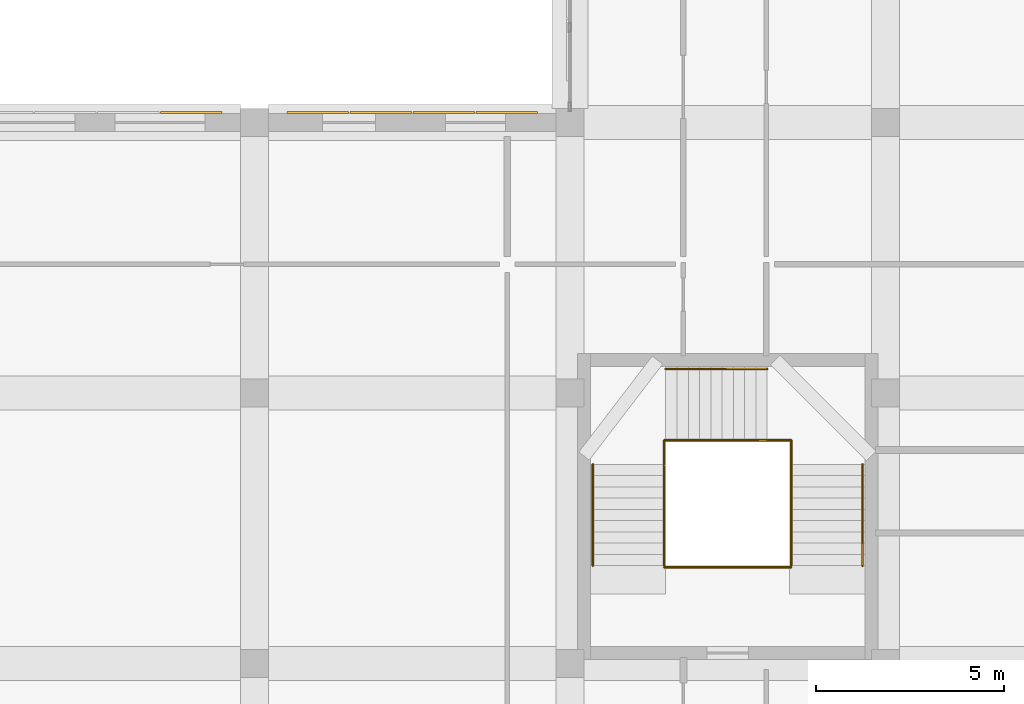
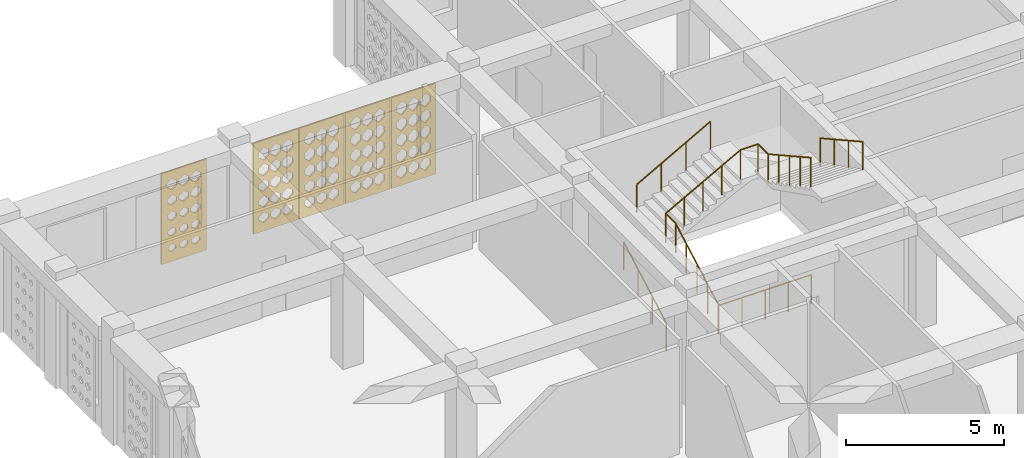
# One storey, part 95 of 111: 7 railings, 5 coverings.
"""IFC4 building model written with IfcOpenShell, lengths in metres."""

import ifcopenshell
import ifcopenshell.guid

model = None  # the IFC model being written
_history = None  # IfcOwnerHistory: only IFC2X3 demands one
_inside = {}  # id of a spatial element -> (the spatial element, [elements in it])
_under = {}  # id of a project, library or spatial element -> (it, [spatial elements below it])
_declared = {}  # id of a project -> (the project, [libraries it declares])
_typed = {}  # id of a type object -> (the type object, [elements of that type])
_made_of = {}  # id of a material, layer set ... -> (it, [elements and type objects made of it])


def new_model(schema):
    """Start an empty IFC model of exactly this schema.

    Asked for "IFC4X3", IfcOpenShell would pick the latest addendum, in which some entities
    have other attributes; the version numbers below select the first issue.
    IFC2X3 requires an IfcOwnerHistory on every rooted entity: one is made here for all.
    """
    global model, _history
    if schema == "IFC4X3":
        model = ifcopenshell.file(schema_version=(4, 3, 0, 0))
    else:
        model = ifcopenshell.file(schema=schema)
    _inside.clear()
    _under.clear()
    _declared.clear()
    _typed.clear()
    _made_of.clear()
    _history = None
    if model.schema == "IFC2X3":
        org = make("IfcOrganization", Name="unknown")
        user = make(
            "IfcPersonAndOrganization",
            ThePerson=make("IfcPerson", FamilyName="unknown"),
            TheOrganization=org,
        )
        app = make(
            "IfcApplication",
            ApplicationDeveloper=org,
            Version="unknown",
            ApplicationFullName="unknown",
            ApplicationIdentifier="unknown",
        )
        _history = make(
            "IfcOwnerHistory",
            OwningUser=user,
            OwningApplication=app,
            ChangeAction="ADDED",
            CreationDate=0,
        )
    return model


def make(cls, **values):
    """One entity of the class cls with the attributes given. An attribute that is None is left unset."""
    return model.create_entity(
        cls, **{name: value for name, value in values.items() if value is not None}
    )


def rooted(cls, **values):
    """An entity with a GlobalId (a new one), such as an element, a storey or a relation."""
    return make(cls, GlobalId=ifcopenshell.guid.new(), OwnerHistory=_history, **values)


def si_unit(unit_type, name, prefix=None):
    """IfcSIUnit, for example si_unit("LENGTHUNIT", "METRE", prefix="MILLI")."""
    return make("IfcSIUnit", UnitType=unit_type, Prefix=prefix, Name=name)


def derived_unit(unit_type, elements):
    """IfcDerivedUnit: a product of units, each with its exponent."""
    return make(
        "IfcDerivedUnit",
        Elements=[
            make("IfcDerivedUnitElement", Unit=unit, Exponent=power)
            for unit, power in elements
        ],
        UnitType=unit_type,
    )


def assignment(units):
    """IfcUnitAssignment: the units of a project."""
    return None if units is None else make("IfcUnitAssignment", Units=units)


def point(xyz):
    """IfcCartesianPoint."""
    return None if xyz is None else make("IfcCartesianPoint", Coordinates=xyz)


def direction(xyz):
    """IfcDirection."""
    return None if xyz is None else make("IfcDirection", DirectionRatios=xyz)


def frame(location, z_axis=None, x_axis=None):
    """IfcAxis2Placement3D, a coordinate frame: its origin and axes. An axis left out is left unset."""
    return make(
        "IfcAxis2Placement3D",
        Location=point(location),
        Axis=direction(z_axis),
        RefDirection=direction(x_axis),
    )


def frame_2d(location, x_axis=None):
    """IfcAxis2Placement2D, a coordinate frame in the plane: its origin and x axis."""
    return make(
        "IfcAxis2Placement2D", Location=point(location), RefDirection=direction(x_axis)
    )


def origin():
    """The frame at (0, 0, 0) with its axes left unset."""
    return frame((0.0, 0.0, 0.0))


def origin_2d():
    """The frame at (0, 0) in the plane with its x axis left unset."""
    return frame_2d((0.0, 0.0))


def place(relative_to, where):
    """IfcLocalPlacement: puts the frame where relative to a parent placement (None: the world)."""
    return make(
        "IfcLocalPlacement", PlacementRelTo=relative_to, RelativePlacement=where
    )


def context(
    kind, dimensions, precision=None, world=None, true_north=None, identifier=None
):
    """IfcGeometricRepresentationContext, for example the 3D "Model" context."""
    return make(
        "IfcGeometricRepresentationContext",
        ContextIdentifier=identifier,
        ContextType=kind,
        CoordinateSpaceDimension=dimensions,
        Precision=precision,
        WorldCoordinateSystem=world,
        TrueNorth=true_north,
    )


def subcontext(parent, identifier, kind, view, scale=None):
    """IfcGeometricRepresentationSubContext, for example "Body" below "Model"."""
    return make(
        "IfcGeometricRepresentationSubContext",
        ContextIdentifier=identifier,
        ContextType=kind,
        ParentContext=parent,
        TargetScale=scale,
        TargetView=view,
    )


def project(units=None, contexts=None):
    """IfcProject with its units and contexts."""
    return rooted(
        "IfcProject",
        Name="project",
        RepresentationContexts=contexts,
        UnitsInContext=assignment(units),
    )


def spatial(cls, under=None, at=None, **own):
    """A site, building, storey or space (cls), placed at a placement, below another one or the project."""
    s = rooted(cls, ObjectPlacement=at, **own)
    if under is not None:
        _under.setdefault(under.id(), (under, []))[1].append(s)
    return s


def polyline(points):
    """IfcPolyline through the points."""
    return make("IfcPolyline", Points=[point(p) for p in points])


def profile(cls, at=None, kind="AREA", **sizes):
    """A parametric profile (cls). Its sizes go by their IFC names, for example OverallWidth=200.0."""
    return make(cls, ProfileType=kind, Position=at, **sizes)


def circle(**sizes):
    """IfcCircleProfileDef."""
    return profile("IfcCircleProfileDef", **sizes)


def outline(outer, holes=None, kind="AREA"):
    """IfcArbitraryClosedProfileDef: a profile drawn as a closed curve; with holes, ...WithVoids."""
    if holes is None:
        return make("IfcArbitraryClosedProfileDef", ProfileType=kind, OuterCurve=outer)
    return make(
        "IfcArbitraryProfileDefWithVoids",
        ProfileType=kind,
        OuterCurve=outer,
        InnerCurves=holes,
    )


def extrude(swept, where, along, depth):
    """IfcExtrudedAreaSolid: the profile swept, set in the frame where, extruded along a direction by depth."""
    return make(
        "IfcExtrudedAreaSolid",
        SweptArea=swept,
        Position=where,
        ExtrudedDirection=direction(along),
        Depth=depth,
    )


def shape(context_of_items, identifier, shape_type, items):
    """IfcShapeRepresentation: the items that make up one representation, for example the "Body"."""
    return make(
        "IfcShapeRepresentation",
        ContextOfItems=context_of_items,
        RepresentationIdentifier=identifier,
        RepresentationType=shape_type,
        Items=items,
    )


def material(Name=None, Category=None):
    """IfcMaterial."""
    return make("IfcMaterial", Name=Name, Category=Category)


def layer(
    of_material, thickness, ventilated=None, Name=None, Category=None, Priority=None
):
    """IfcMaterialLayer: one layer of a wall or slab, of a material (None: an air gap)."""
    return make(
        "IfcMaterialLayer",
        Material=of_material,
        LayerThickness=thickness,
        IsVentilated=ventilated,
        Name=Name,
        Category=Category,
        Priority=Priority,
    )


def layer_set(layers, Name=None):
    """IfcMaterialLayerSet."""
    return make("IfcMaterialLayerSet", MaterialLayers=layers, LayerSetName=Name)


def made_of(thing, what):
    """Note that an element or type object is made of a material, layer set ...; save() writes the relation."""
    if what is not None:
        _made_of.setdefault(what.id(), (what, []))[1].append(thing)
    return thing


def type_object(cls, material=None, **own):
    """A type object (cls), such as IfcWallType, which elements share."""
    return made_of(rooted(cls, **own), material)


def element(
    cls,
    number,
    at=None,
    inside=None,
    cuts=None,
    type_object=None,
    material=None,
    context=None,
    identifier="Body",
    shape_type=None,
    held_by="IfcProductDefinitionShape",
    body=None,
    shapes=None,
    **own,
):
    """One element of the class cls, such as IfcWall. Its Tag is "e" and its number.

    at: its placement. inside: the storey or other place that contains it. cuts: it is an
    opening in that element (IfcRelVoidsElement). A single representation is given by context,
    identifier, shape_type and body (its items); several are given by shapes. held_by: the class
    of the entity that holds the representations. save() writes the other relations.
    """
    e = rooted(cls, Tag="e%d" % number, ObjectPlacement=at, **own)
    if body is not None:
        shapes = [shape(context, identifier, shape_type, body)]
    if shapes is not None:
        e.Representation = make(held_by, Representations=shapes)
    if inside is not None:
        _inside.setdefault(inside.id(), (inside, []))[1].append(e)
    if cuts is not None:
        rooted(
            "IfcRelVoidsElement", RelatingBuildingElement=cuts, RelatedOpeningElement=e
        )
    if type_object is not None:
        _typed.setdefault(type_object.id(), (type_object, []))[1].append(e)
    return made_of(e, material)


def aggregate(whole, parts):
    """IfcRelAggregates: a whole, such as a stair, and the parts it consists of."""
    return rooted("IfcRelAggregates", RelatingObject=whole, RelatedObjects=parts)


def save(model, path):
    """Write the relations noted so far, then the file.

    IfcRelAggregates (storeys below a building ...), IfcRelContainedInSpatialStructure (elements
    in a storey), IfcRelDefinesByType, IfcRelAssociatesMaterial and IfcRelDeclares: one each for
    every whole, place, type object, material and project.
    """
    for whole, parts in _under.values():
        aggregate(whole, parts)
    for where, things in _inside.values():
        rooted(
            "IfcRelContainedInSpatialStructure",
            RelatedElements=things,
            RelatingStructure=where,
        )
    for kind, things in _typed.values():
        rooted("IfcRelDefinesByType", RelatedObjects=things, RelatingType=kind)
    for what, things in _made_of.values():
        rooted("IfcRelAssociatesMaterial", RelatedObjects=things, RelatingMaterial=what)
    for by, libraries in _declared.values():
        rooted("IfcRelDeclares", RelatingContext=by, RelatedDefinitions=libraries)
    model.write(path)


model = new_model("IFC4")

# Units and contexts
model_context = context("Model", 3, precision=1e-05, world=origin(), true_north=direction((0.0, 1.0)))
body_context = subcontext(model_context, "Body", "Model", "MODEL_VIEW")
ifc_project = project(units=[si_unit("LENGTHUNIT", "METRE"), si_unit("AREAUNIT", "SQUARE_METRE"), si_unit("VOLUMEUNIT", "CUBIC_METRE"), si_unit("PLANEANGLEUNIT", "RADIAN"), si_unit("MASSUNIT", "GRAM", prefix="KILO"), derived_unit("THERMALTRANSMITTANCEUNIT", [(si_unit("POWERUNIT", "WATT"), 1), (si_unit("LENGTHUNIT", "METRE"), -2), (si_unit("THERMODYNAMICTEMPERATUREUNIT", "KELVIN"), -1)])], contexts=[model_context])

# Site, building, storey
site_placement = place(None, origin())
site = spatial("IfcSite", under=ifc_project, at=site_placement, CompositionType="ELEMENT")
building_placement = place(site_placement, origin())
building = spatial("IfcBuilding", under=site, at=building_placement, Name="Veybourne Emporium", CompositionType="ELEMENT")
storey_placement = place(building_placement, frame((0.0, 0.0, 9.89990234375)))
storey = spatial("IfcBuildingStorey", under=building, at=storey_placement, Name="L02", CompositionType="ELEMENT", Elevation=9.89990234375)

# Railings
ifc_material_1 = material(Name="Brushed Stainless Steel", Category="steel")
railing_type_1 = type_object("IfcRailingType", Name="Guard_GR-01", PredefinedType="GUARDRAIL", material=ifc_material_1)
railing_1_placement = place(storey_placement, frame((19.31005859375, 67.39990234375, 0.0)))
element("IfcRailing", 1, at=railing_1_placement, inside=storey, type_object=railing_type_1, Name="L02 ST-08 stair guard 1", PredefinedType="GUARDRAIL", context=body_context, shape_type="SweptSolid", body=[
    extrude(circle(Radius=0.02392578125, at=origin_2d()), frame((0.0, 0.0, 1.1259765625), z_axis=(0.0, 0.874172188743, 0.48561608749), x_axis=(-1.0, 0.0, 0.0)), (0.0, 0.0, 1.0), 3.0888671875),
    extrude(circle(Radius=0.02392578125, at=origin_2d()), frame((0.0, 2.7001953125, 2.6259765625), z_axis=(0.0, 1.0, 0.0), x_axis=(-1.0, 0.0, 0.0)), (0.0, 0.0, 1.0), 0.639892578125),
    extrude(circle(Radius=0.02099609375, at=origin_2d()), origin(), (0.0, 0.0, 1.0), 1.101806640625),
    extrude(circle(Radius=0.02099609375, at=origin_2d()), frame((0.0, 0.675048828125, 0.375)), (0.0, 0.0, 1.0), 1.101806640625),
    extrude(circle(Radius=0.02099609375, at=origin_2d()), frame((0.0, 1.35009765625, 0.75)), (0.0, 0.0, 1.0), 1.101806640625),
    extrude(circle(Radius=0.02099609375, at=origin_2d()), frame((0.0, 2.025146484375, 1.125)), (0.0, 0.0, 1.0), 1.101806640625),
    extrude(circle(Radius=0.02099609375, at=origin_2d()), frame((0.0, 2.7001953125, 1.5)), (0.0, 0.0, 1.0), 1.101806640625),
    extrude(circle(Radius=0.02099609375, at=origin_2d()), frame((0.0, 3.340087890625, 1.5)), (0.0, 0.0, 1.0), 1.101806640625),
])
railing_2_placement = place(storey_placement, frame((19.31005859375, 70.739990234375, 1.5)))
element("IfcRailing", 2, at=railing_2_placement, inside=storey, type_object=railing_type_1, Name="L02 ST-08 stair guard 2", PredefinedType="GUARDRAIL", context=body_context, shape_type="SweptSolid", body=[
    extrude(circle(Radius=0.02392578125, at=origin_2d()), frame((0.0, 0.0, 1.1259765625), z_axis=(0.87715976088, 0.0, 0.480198660861), x_axis=(0.0, 1.0, 0.0)), (0.0, 0.0, 1.0), 3.123779296875),
    extrude(circle(Radius=0.02392578125, at=origin_2d()), frame((2.739990234375, 0.0, 2.6259765625), z_axis=(1.0, 0.0, 0.0), x_axis=(0.0, 1.0, 0.0)), (0.0, 0.0, 1.0), 0.639892578125),
    extrude(circle(Radius=0.02099609375, at=origin_2d()), origin(), (0.0, 0.0, 1.0), 1.101806640625),
    extrude(circle(Radius=0.02099609375, at=origin_2d()), frame((0.68505859375, 0.0, 0.375)), (0.0, 0.0, 1.0), 1.101806640625),
    extrude(circle(Radius=0.02099609375, at=origin_2d()), frame((1.3701171875, 0.0, 0.75)), (0.0, 0.0, 1.0), 1.101806640625),
    extrude(circle(Radius=0.02099609375, at=origin_2d()), frame((2.054931640625, 0.0, 1.125)), (0.0, 0.0, 1.0), 1.101806640625),
    extrude(circle(Radius=0.02099609375, at=origin_2d()), frame((2.739990234375, 0.0, 1.5)), (0.0, 0.0, 1.0), 1.101806640625),
    extrude(circle(Radius=0.02099609375, at=origin_2d()), frame((3.3798828125, 0.0, 1.5)), (0.0, 0.0, 1.0), 1.101806640625),
])
railing_3_placement = place(storey_placement, frame((22.68994140625, 70.739990234375, 3.0)))
element("IfcRailing", 3, at=railing_3_placement, inside=storey, type_object=railing_type_1, Name="L02 ST-08 stair guard 3", PredefinedType="GUARDRAIL", context=body_context, shape_type="SweptSolid", body=[
    extrude(circle(Radius=0.02392578125, at=origin_2d()), frame((0.0, 0.0, 1.1259765625), z_axis=(0.0, -1.0, 0.0), x_axis=(1.0, 0.0, 0.0)), (0.0, 0.0, 1.0), 0.639892578125),
    extrude(circle(Radius=0.02392578125, at=origin_2d()), frame((0.0, -0.639892578125, 1.1259765625), z_axis=(0.0, -0.874172188743, 0.48561608749), x_axis=(1.0, 0.0, 0.0)), (0.0, 0.0, 1.0), 3.0888671875),
    extrude(circle(Radius=0.02099609375, at=origin_2d()), origin(), (0.0, 0.0, 1.0), 1.101806640625),
    extrude(circle(Radius=0.02099609375, at=origin_2d()), frame((0.0, -0.639892578125, 0.0)), (0.0, 0.0, 1.0), 1.101806640625),
    extrude(circle(Radius=0.02099609375, at=origin_2d()), frame((0.0, -1.31494140625, 0.375)), (0.0, 0.0, 1.0), 1.101806640625),
    extrude(circle(Radius=0.02099609375, at=origin_2d()), frame((0.0, -1.989990234375, 0.75)), (0.0, 0.0, 1.0), 1.101806640625),
    extrude(circle(Radius=0.02099609375, at=origin_2d()), frame((0.0, -2.6650390625, 1.125)), (0.0, 0.0, 1.0), 1.101806640625),
    extrude(circle(Radius=0.02099609375, at=origin_2d()), frame((0.0, -3.340087890625, 1.5)), (0.0, 0.0, 1.0), 1.101806640625),
])
railing_4_placement = place(storey_placement, frame((19.31005859375, 67.360107421875, 0.0)))
element("IfcRailing", 4, at=railing_4_placement, inside=storey, type_object=railing_type_1, Name="L02 ST-08 stair guard 4", PredefinedType="GUARDRAIL", context=body_context, shape_type="SweptSolid", body=[
    extrude(circle(Radius=0.02392578125, at=origin_2d()), frame((0.0, 0.0, 1.1259765625), z_axis=(1.0, 0.0, 0.0), x_axis=(0.0, 1.0, 0.0)), (0.0, 0.0, 1.0), 3.3798828125),
    extrude(circle(Radius=0.02099609375, at=origin_2d()), origin(), (0.0, 0.0, 1.0), 1.101806640625),
    extrude(circle(Radius=0.02099609375, at=origin_2d()), frame((0.844970703125, 0.0, 0.0)), (0.0, 0.0, 1.0), 1.101806640625),
    extrude(circle(Radius=0.02099609375, at=origin_2d()), frame((1.68994140625, 0.0, 0.0)), (0.0, 0.0, 1.0), 1.101806640625),
    extrude(circle(Radius=0.02099609375, at=origin_2d()), frame((2.534912109375, 0.0, 0.0)), (0.0, 0.0, 1.0), 1.101806640625),
    extrude(circle(Radius=0.02099609375, at=origin_2d()), frame((3.3798828125, 0.0, 0.0)), (0.0, 0.0, 1.0), 1.101806640625),
])
railing_type_2 = type_object("IfcRailingType", Name="Handrail_HR-01", PredefinedType="HANDRAIL", material=ifc_material_1)
railing_5_placement = place(storey_placement, frame((17.409912109375, 67.39990234375, 0.150146484375)))
element("IfcRailing", 5, at=railing_5_placement, inside=storey, type_object=railing_type_2, Name="L02 ST-08 pitch handrail 1", PredefinedType="HANDRAIL", context=body_context, shape_type="SweptSolid", body=[
    extrude(circle(Radius=0.02392578125, at=origin_2d()), frame((0.0, 0.0, 0.92578125), z_axis=(0.0, 0.874172188743, 0.48561608749), x_axis=(-1.0, 0.0, 0.0)), (0.0, 0.0, 1.0), 3.0888671875),
    extrude(circle(Radius=0.02099609375, at=origin_2d()), frame((0.0, 0.0, -0.14990234375)), (0.0, 0.0, 1.0), 1.0517578125),
    extrude(circle(Radius=0.02099609375, at=origin_2d()), frame((0.0, 0.900146484375, 0.35009765625)), (0.0, 0.0, 1.0), 1.0517578125),
    extrude(circle(Radius=0.02099609375, at=origin_2d()), frame((0.0, 1.800048828125, 0.85009765625)), (0.0, 0.0, 1.0), 1.0517578125),
    extrude(circle(Radius=0.02099609375, at=origin_2d()), frame((0.0, 2.7001953125, 1.35009765625)), (0.0, 0.0, 1.0), 1.0517578125),
])
railing_6_placement = place(storey_placement, frame((19.35009765625, 72.639892578125, 1.650146484375)))
element("IfcRailing", 6, at=railing_6_placement, inside=storey, type_object=railing_type_2, Name="L02 ST-08 pitch handrail 2", PredefinedType="HANDRAIL", context=body_context, shape_type="SweptSolid", body=[
    extrude(circle(Radius=0.02392578125, at=origin_2d()), frame((0.0, 0.0, 0.92578125), z_axis=(0.87415354758, 0.0, 0.485649642493), x_axis=(0.0, 1.0, 0.0)), (0.0, 0.0, 1.0), 3.088623046875),
    extrude(circle(Radius=0.02099609375, at=origin_2d()), frame((0.0, 0.0, -0.14990234375)), (0.0, 0.0, 1.0), 1.0517578125),
    extrude(circle(Radius=0.02099609375, at=origin_2d()), frame((0.89990234375, 0.0, 0.35009765625)), (0.0, 0.0, 1.0), 1.0517578125),
    extrude(circle(Radius=0.02099609375, at=origin_2d()), frame((1.800048828125, 0.0, 0.85009765625)), (0.0, 0.0, 1.0), 1.0517578125),
    extrude(circle(Radius=0.02099609375, at=origin_2d()), frame((2.699951171875, 0.0, 1.35009765625)), (0.0, 0.0, 1.0), 1.0517578125),
])
railing_7_placement = place(storey_placement, frame((24.590087890625, 70.10009765625, 3.150146484375)))
element("IfcRailing", 7, at=railing_7_placement, inside=storey, type_object=railing_type_2, Name="L02 ST-08 pitch handrail 3", PredefinedType="HANDRAIL", context=body_context, shape_type="SweptSolid", body=[
    extrude(circle(Radius=0.02392578125, at=origin_2d()), frame((0.0, 0.0, 0.92578125), z_axis=(0.0, -0.874172188743, 0.48561608749), x_axis=(1.0, 0.0, 0.0)), (0.0, 0.0, 1.0), 3.0888671875),
    extrude(circle(Radius=0.02099609375, at=origin_2d()), frame((0.0, 0.0, -0.14990234375)), (0.0, 0.0, 1.0), 1.0517578125),
    extrude(circle(Radius=0.02099609375, at=origin_2d()), frame((0.0, -0.900146484375, 0.35009765625)), (0.0, 0.0, 1.0), 1.0517578125),
    extrude(circle(Radius=0.02099609375, at=origin_2d()), frame((0.0, -1.800048828125, 0.85009765625)), (0.0, 0.0, 1.0), 1.0517578125),
    extrude(circle(Radius=0.02099609375, at=origin_2d()), frame((0.0, -2.7001953125, 1.35009765625)), (0.0, 0.0, 1.0), 1.0517578125),
])

# Coverings
ifc_material_2 = material(Name="Warm-White Perforated Aluminium Screen Alloy", Category="aluminium")
ifc_layer_1 = layer(ifc_material_2, 0.06005859375)
ifc_layer_set_1 = layer_set([ifc_layer_1], Name="Warm-White Perforated Aluminium Screen Alloy")
covering_type_1 = type_object("IfcCoveringType", Name="WaveScreen_SCR-01", PredefinedType="CLADDING", material=ifc_layer_set_1)
covering_1_placement = place(storey_placement, frame((6.719970703125, 79.498046875, 1.815185546875), z_axis=(0.0, -1.0, 0.0), x_axis=(1.0, 0.0, 0.0)))
element("IfcCovering", 8, at=covering_1_placement, inside=storey, type_object=covering_type_1, Name="L02 wave-perforated aluminium screen SCR-01 (10.4)", PredefinedType="CLADDING", context=body_context, shape_type="SweptSolid", body=[
    extrude(outline(polyline([(-0.81982421875, -1.7548828125), (0.81982421875, -1.7548828125), (0.81982421875, 1.7548828125), (-0.81982421875, 1.7548828125), (-0.81982421875, -1.7548828125)]), holes=[polyline([(-0.433349609375, -1.073486328125), (-0.296875, -1.17236328125), (-0.296875, -1.28369140625), (-0.433349609375, -1.382568359375), (-0.56982421875, -1.28369140625), (-0.56982421875, -1.17236328125), (-0.433349609375, -1.073486328125)]), polyline([(-0.433349609375, -0.4462890625), (-0.2861328125, -0.5537109375), (-0.2861328125, -0.67431640625), (-0.433349609375, -0.78173828125), (-0.58056640625, -0.67431640625), (-0.58056640625, -0.5537109375), (-0.433349609375, -0.4462890625)]), polyline([(-0.433349609375, 0.181396484375), (-0.27490234375, 0.065185546875), (-0.27490234375, -0.065185546875), (-0.433349609375, -0.181396484375), (-0.591796875, -0.065185546875), (-0.591796875, 0.065185546875), (-0.433349609375, 0.181396484375)]), polyline([(-0.433349609375, 0.809814453125), (-0.26318359375, 0.684326171875), (-0.26318359375, 0.543701171875), (-0.433349609375, 0.418212890625), (-0.603515625, 0.543701171875), (-0.603515625, 0.684326171875), (-0.433349609375, 0.809814453125)]), polyline([(-0.433349609375, 1.437744140625), (-0.251708984375, 1.303466796875), (-0.251708984375, 1.152587890625), (-0.433349609375, 1.018310546875), (-0.614990234375, 1.152587890625), (-0.614990234375, 1.303466796875), (-0.433349609375, 1.437744140625)]), polyline([(0.0, -1.067626953125), (0.141357421875, -1.170166015625), (0.141357421875, -1.285888671875), (0.0, -1.388427734375), (-0.141357421875, -1.285888671875), (-0.141357421875, -1.170166015625), (0.0, -1.067626953125)]), polyline([(0.0, -0.440185546875), (0.15234375, -0.551513671875), (0.15234375, -0.676513671875), (0.0, -0.787841796875), (-0.15234375, -0.676513671875), (-0.15234375, -0.551513671875), (0.0, -0.440185546875)]), polyline([(0.0, 0.18798828125), (0.163818359375, 0.067626953125), (0.163818359375, -0.067626953125), (0.0, -0.18798828125), (-0.163818359375, -0.067626953125), (-0.163818359375, 0.067626953125), (0.0, 0.18798828125)]), polyline([(0.0, 0.816162109375), (0.17529296875, 0.686767578125), (0.17529296875, 0.541259765625), (0.0, 0.411865234375), (-0.17529296875, 0.541259765625), (-0.17529296875, 0.686767578125), (0.0, 0.816162109375)]), polyline([(0.0, 1.444091796875), (0.186279296875, 1.3056640625), (0.186279296875, 1.150390625), (0.0, 1.011962890625), (-0.186279296875, 1.150390625), (-0.186279296875, 1.3056640625), (0.0, 1.444091796875)]), polyline([(0.433349609375, -1.0615234375), (0.57958984375, -1.168212890625), (0.57958984375, -1.287841796875), (0.433349609375, -1.394287109375), (0.287109375, -1.287841796875), (0.287109375, -1.168212890625), (0.433349609375, -1.0615234375)]), polyline([(0.433349609375, -0.433837890625), (0.5908203125, -0.549072265625), (0.5908203125, -0.678955078125), (0.433349609375, -0.794189453125), (0.27587890625, -0.678955078125), (0.27587890625, -0.549072265625), (0.433349609375, -0.433837890625)]), polyline([(0.433349609375, 0.1943359375), (0.602294921875, 0.070068359375), (0.602294921875, -0.070068359375), (0.433349609375, -0.1943359375), (0.264404296875, -0.070068359375), (0.264404296875, 0.070068359375), (0.433349609375, 0.1943359375)]), polyline([(0.433349609375, 0.822509765625), (0.614013671875, 0.68896484375), (0.614013671875, 0.5390625), (0.433349609375, 0.405517578125), (0.252685546875, 0.5390625), (0.252685546875, 0.68896484375), (0.433349609375, 0.822509765625)]), polyline([(0.433349609375, 1.4501953125), (0.61962890625, 1.307861328125), (0.61962890625, 1.148193359375), (0.433349609375, 1.005859375), (0.2470703125, 1.148193359375), (0.2470703125, 1.307861328125), (0.433349609375, 1.4501953125)])]), origin(), (0.0, 0.0, 1.0), 0.06005859375),
])
covering_2_placement = place(storey_placement, frame((10.080078125, 79.498046875, 1.815185546875), z_axis=(0.0, -1.0, 0.0), x_axis=(1.0, 0.0, 0.0)))
element("IfcCovering", 9, at=covering_2_placement, inside=storey, type_object=covering_type_1, Name="L02 wave-perforated aluminium screen SCR-01 (13.1)", PredefinedType="CLADDING", context=body_context, shape_type="SweptSolid", body=[
    extrude(outline(polyline([(-0.81982421875, -1.7548828125), (0.81982421875, -1.7548828125), (0.81982421875, 1.7548828125), (-0.81982421875, 1.7548828125), (-0.81982421875, -1.7548828125)]), holes=[polyline([(-0.433349609375, -1.02490234375), (-0.25732421875, -1.15478515625), (-0.25732421875, -1.301025390625), (-0.433349609375, -1.430908203125), (-0.609375, -1.301025390625), (-0.609375, -1.15478515625), (-0.433349609375, -1.02490234375)]), polyline([(-0.433349609375, -0.397216796875), (-0.2470703125, -0.535888671875), (-0.2470703125, -0.692138671875), (-0.433349609375, -0.830810546875), (-0.61962890625, -0.692138671875), (-0.61962890625, -0.535888671875), (-0.433349609375, -0.397216796875)]), polyline([(-0.433349609375, 0.22998046875), (-0.2470703125, 0.082763671875), (-0.2470703125, -0.082763671875), (-0.433349609375, -0.22998046875), (-0.61962890625, -0.082763671875), (-0.61962890625, 0.082763671875), (-0.433349609375, 0.22998046875)]), polyline([(-0.433349609375, 0.85595703125), (-0.2470703125, 0.701171875), (-0.2470703125, 0.52685546875), (-0.433349609375, 0.3720703125), (-0.61962890625, 0.52685546875), (-0.61962890625, 0.701171875), (-0.433349609375, 0.85595703125)]), polyline([(-0.433349609375, 1.48046875), (-0.2470703125, 1.31884765625), (-0.2470703125, 1.13720703125), (-0.433349609375, 0.9755859375), (-0.61962890625, 1.13720703125), (-0.61962890625, 1.31884765625), (-0.433349609375, 1.48046875)]), polyline([(0.0, -1.018798828125), (0.181396484375, -1.152587890625), (0.181396484375, -1.303466796875), (0.0, -1.437255859375), (-0.181396484375, -1.303466796875), (-0.181396484375, -1.152587890625), (0.0, -1.018798828125)]), polyline([(0.0, -0.39111328125), (0.186279296875, -0.53369140625), (0.186279296875, -0.694091796875), (0.0, -0.8369140625), (-0.186279296875, -0.694091796875), (-0.186279296875, -0.53369140625), (0.0, -0.39111328125)]), polyline([(0.0, 0.235595703125), (0.186279296875, 0.084716796875), (0.186279296875, -0.084716796875), (0.0, -0.235595703125), (-0.186279296875, -0.084716796875), (-0.186279296875, 0.084716796875), (0.0, 0.235595703125)]), polyline([(0.0, 0.861083984375), (0.186279296875, 0.702880859375), (0.186279296875, 0.525146484375), (0.0, 0.366943359375), (-0.186279296875, 0.525146484375), (-0.186279296875, 0.702880859375), (0.0, 0.861083984375)]), polyline([(0.0, 1.48486328125), (0.186279296875, 1.3203125), (0.186279296875, 1.135498046875), (0.0, 0.97119140625), (-0.186279296875, 1.135498046875), (-0.186279296875, 1.3203125), (0.0, 1.48486328125)]), polyline([(0.433349609375, -1.012451171875), (0.61962890625, -1.150390625), (0.61962890625, -1.3056640625), (0.433349609375, -1.443603515625), (0.2470703125, -1.3056640625), (0.2470703125, -1.150390625), (0.433349609375, -1.012451171875)]), polyline([(0.433349609375, -0.38525390625), (0.61962890625, -0.531494140625), (0.61962890625, -0.6962890625), (0.433349609375, -0.8427734375), (0.2470703125, -0.6962890625), (0.2470703125, -0.531494140625), (0.433349609375, -0.38525390625)]), polyline([(0.433349609375, 0.240966796875), (0.61962890625, 0.086669921875), (0.61962890625, -0.086669921875), (0.433349609375, -0.240966796875), (0.2470703125, -0.086669921875), (0.2470703125, 0.086669921875), (0.433349609375, 0.240966796875)]), polyline([(0.433349609375, 0.865478515625), (0.61962890625, 0.70458984375), (0.61962890625, 0.5234375), (0.433349609375, 0.3623046875), (0.2470703125, 0.5234375), (0.2470703125, 0.70458984375), (0.433349609375, 0.865478515625)]), polyline([(0.433349609375, 1.488525390625), (0.61962890625, 1.32177734375), (0.61962890625, 1.13427734375), (0.433349609375, 0.96728515625), (0.2470703125, 1.13427734375), (0.2470703125, 1.32177734375), (0.433349609375, 1.488525390625)])]), origin(), (0.0, 0.0, 1.0), 0.06005859375),
])
ifc_layer_2 = layer(ifc_material_2, 0.06005859375)
ifc_layer_set_2 = layer_set([ifc_layer_2], Name="Warm-White Perforated Aluminium Screen Alloy")
covering_type_2 = type_object("IfcCoveringType", Name="WaveScreen_SCR-02", PredefinedType="CLADDING", material=ifc_layer_set_2)
covering_3_placement = place(storey_placement, frame((11.760009765625, 79.498046875, 1.815185546875), z_axis=(0.0, -1.0, 0.0), x_axis=(1.0, 0.0, 0.0)))
element("IfcCovering", 10, at=covering_3_placement, inside=storey, type_object=covering_type_2, Name="L02 wave-perforated aluminium screen SCR-02 (13.2)", PredefinedType="CLADDING", context=body_context, shape_type="SweptSolid", body=[
    extrude(outline(polyline([(-0.81982421875, -1.7548828125), (0.81982421875, -1.7548828125), (0.81982421875, 1.7548828125), (-0.81982421875, 1.7548828125), (-0.81982421875, -1.7548828125)]), holes=[polyline([(-0.433349609375, -1.001220703125), (-0.2470703125, -1.146240234375), (-0.2470703125, -1.309814453125), (-0.433349609375, -1.454833984375), (-0.61962890625, -1.309814453125), (-0.61962890625, -1.146240234375), (-0.433349609375, -1.001220703125)]), polyline([(-0.433349609375, -0.374755859375), (-0.2470703125, -0.52783203125), (-0.2470703125, -0.7001953125), (-0.433349609375, -0.853271484375), (-0.61962890625, -0.7001953125), (-0.61962890625, -0.52783203125), (-0.433349609375, -0.374755859375)]), polyline([(-0.433349609375, 0.25), (-0.2470703125, 0.090087890625), (-0.2470703125, -0.090087890625), (-0.433349609375, -0.25), (-0.61962890625, -0.090087890625), (-0.61962890625, 0.090087890625), (-0.433349609375, 0.25)]), polyline([(-0.433349609375, 0.873291015625), (-0.2470703125, 0.70751953125), (-0.2470703125, 0.5205078125), (-0.433349609375, 0.3544921875), (-0.61962890625, 0.5205078125), (-0.61962890625, 0.70751953125), (-0.433349609375, 0.873291015625)]), polyline([(-0.433349609375, 1.491943359375), (-0.2470703125, 1.322998046875), (-0.2470703125, 1.133056640625), (-0.433349609375, 0.964111328125), (-0.61962890625, 1.133056640625), (-0.61962890625, 1.322998046875), (-0.433349609375, 1.491943359375)]), polyline([(0.0, -0.995361328125), (0.186279296875, -1.144287109375), (0.186279296875, -1.311767578125), (0.0, -1.460693359375), (-0.186279296875, -1.311767578125), (-0.186279296875, -1.144287109375), (0.0, -0.995361328125)]), polyline([(0.0, -0.36962890625), (0.186279296875, -0.52587890625), (0.186279296875, -0.701904296875), (0.0, -0.8583984375), (-0.186279296875, -0.701904296875), (-0.186279296875, -0.52587890625), (0.0, -0.36962890625)]), polyline([(0.0, 0.254638671875), (0.186279296875, 0.091552734375), (0.186279296875, -0.091552734375), (0.0, -0.254638671875), (-0.186279296875, -0.091552734375), (-0.186279296875, 0.091552734375), (0.0, 0.254638671875)]), polyline([(0.0, 0.876953125), (0.186279296875, 0.708740234375), (0.186279296875, 0.519287109375), (0.0, 0.35107421875), (-0.186279296875, 0.519287109375), (-0.186279296875, 0.708740234375), (0.0, 0.876953125)]), polyline([(0.0, 1.491943359375), (0.186279296875, 1.322998046875), (0.186279296875, 1.133056640625), (0.0, 0.964111328125), (-0.186279296875, 1.133056640625), (-0.186279296875, 1.322998046875), (0.0, 1.491943359375)]), polyline([(0.433349609375, -0.989990234375), (0.61962890625, -1.142333984375), (0.61962890625, -1.313720703125), (0.433349609375, -1.466064453125), (0.2470703125, -1.313720703125), (0.2470703125, -1.142333984375), (0.433349609375, -0.989990234375)]), polyline([(0.433349609375, -0.36474609375), (0.61962890625, -0.5244140625), (0.61962890625, -0.70361328125), (0.433349609375, -0.86328125), (0.2470703125, -0.70361328125), (0.2470703125, -0.5244140625), (0.433349609375, -0.36474609375)]), polyline([(0.433349609375, 0.258544921875), (0.61962890625, 0.093017578125), (0.61962890625, -0.093017578125), (0.433349609375, -0.258544921875), (0.2470703125, -0.093017578125), (0.2470703125, 0.093017578125), (0.433349609375, 0.258544921875)]), polyline([(0.433349609375, 0.8779296875), (0.61962890625, 0.708984375), (0.61962890625, 0.51904296875), (0.433349609375, 0.35009765625), (0.2470703125, 0.51904296875), (0.2470703125, 0.708984375), (0.433349609375, 0.8779296875)]), polyline([(0.433349609375, 1.491943359375), (0.61962890625, 1.322998046875), (0.61962890625, 1.133056640625), (0.433349609375, 0.964111328125), (0.2470703125, 1.133056640625), (0.2470703125, 1.322998046875), (0.433349609375, 1.491943359375)])]), origin(), (0.0, 0.0, 1.0), 0.06005859375),
])
ifc_layer_3 = layer(ifc_material_2, 0.06005859375)
ifc_layer_set_3 = layer_set([ifc_layer_3], Name="Warm-White Perforated Aluminium Screen Alloy")
covering_type_3 = type_object("IfcCoveringType", Name="WaveScreen_SCR-03", PredefinedType="CLADDING", material=ifc_layer_set_3)
covering_4_placement = place(storey_placement, frame((13.43994140625, 79.498046875, 1.815185546875), z_axis=(0.0, -1.0, 0.0), x_axis=(1.0, 0.0, 0.0)))
element("IfcCovering", 11, at=covering_4_placement, inside=storey, type_object=covering_type_3, Name="L02 wave-perforated aluminium screen SCR-03 (13.3)", PredefinedType="CLADDING", context=body_context, shape_type="SweptSolid", body=[
    extrude(outline(polyline([(-0.81982421875, -1.7548828125), (0.81982421875, -1.7548828125), (0.81982421875, 1.7548828125), (-0.81982421875, 1.7548828125), (-0.81982421875, -1.7548828125)]), holes=[polyline([(-0.433349609375, -0.980224609375), (-0.2470703125, -1.138916015625), (-0.2470703125, -1.317138671875), (-0.433349609375, -1.4755859375), (-0.61962890625, -1.317138671875), (-0.61962890625, -1.138916015625), (-0.433349609375, -0.980224609375)]), polyline([(-0.433349609375, -0.356689453125), (-0.2470703125, -0.521484375), (-0.2470703125, -0.70654296875), (-0.433349609375, -0.871337890625), (-0.61962890625, -0.70654296875), (-0.61962890625, -0.521484375), (-0.433349609375, -0.356689453125)]), polyline([(-0.433349609375, 0.263916015625), (-0.2470703125, 0.094970703125), (-0.2470703125, -0.094970703125), (-0.433349609375, -0.263916015625), (-0.61962890625, -0.094970703125), (-0.61962890625, 0.094970703125), (-0.433349609375, 0.263916015625)]), polyline([(-0.433349609375, 0.8779296875), (-0.2470703125, 0.708984375), (-0.2470703125, 0.51904296875), (-0.433349609375, 0.35009765625), (-0.61962890625, 0.51904296875), (-0.61962890625, 0.708984375), (-0.433349609375, 0.8779296875)]), polyline([(-0.433349609375, 1.491943359375), (-0.2470703125, 1.322998046875), (-0.2470703125, 1.133056640625), (-0.433349609375, 0.964111328125), (-0.61962890625, 1.133056640625), (-0.61962890625, 1.322998046875), (-0.433349609375, 1.491943359375)]), polyline([(0.0, -0.9755859375), (0.186279296875, -1.13720703125), (0.186279296875, -1.31884765625), (0.0, -1.480224609375), (-0.186279296875, -1.31884765625), (-0.186279296875, -1.13720703125), (0.0, -0.9755859375)]), polyline([(0.0, -0.352783203125), (0.186279296875, -0.52001953125), (0.186279296875, -0.7080078125), (0.0, -0.875), (-0.186279296875, -0.7080078125), (-0.186279296875, -0.52001953125), (0.0, -0.352783203125)]), polyline([(0.0, 0.263916015625), (0.186279296875, 0.094970703125), (0.186279296875, -0.094970703125), (0.0, -0.263916015625), (-0.186279296875, -0.094970703125), (-0.186279296875, 0.094970703125), (0.0, 0.263916015625)]), polyline([(0.0, 0.8779296875), (0.186279296875, 0.708984375), (0.186279296875, 0.51904296875), (0.0, 0.35009765625), (-0.186279296875, 0.51904296875), (-0.186279296875, 0.708984375), (0.0, 0.8779296875)]), polyline([(0.0, 1.491943359375), (0.186279296875, 1.322998046875), (0.186279296875, 1.133056640625), (0.0, 0.964111328125), (-0.186279296875, 1.133056640625), (-0.186279296875, 1.322998046875), (0.0, 1.491943359375)]), polyline([(0.433349609375, -0.971435546875), (0.61962890625, -1.1357421875), (0.61962890625, -1.3203125), (0.433349609375, -1.484619140625), (0.2470703125, -1.3203125), (0.2470703125, -1.1357421875), (0.433349609375, -0.971435546875)]), polyline([(0.433349609375, -0.35009765625), (0.61962890625, -0.51904296875), (0.61962890625, -0.708984375), (0.433349609375, -0.8779296875), (0.2470703125, -0.708984375), (0.2470703125, -0.51904296875), (0.433349609375, -0.35009765625)]), polyline([(0.433349609375, 0.263916015625), (0.61962890625, 0.094970703125), (0.61962890625, -0.094970703125), (0.433349609375, -0.263916015625), (0.2470703125, -0.094970703125), (0.2470703125, 0.094970703125), (0.433349609375, 0.263916015625)]), polyline([(0.433349609375, 0.8779296875), (0.61962890625, 0.708984375), (0.61962890625, 0.51904296875), (0.433349609375, 0.35009765625), (0.2470703125, 0.51904296875), (0.2470703125, 0.708984375), (0.433349609375, 0.8779296875)]), polyline([(0.433349609375, 1.491943359375), (0.61962890625, 1.322998046875), (0.61962890625, 1.133056640625), (0.433349609375, 0.964111328125), (0.2470703125, 1.133056640625), (0.2470703125, 1.322998046875), (0.433349609375, 1.491943359375)])]), origin(), (0.0, 0.0, 1.0), 0.06005859375),
])
ifc_layer_4 = layer(ifc_material_2, 0.06005859375)
ifc_layer_set_4 = layer_set([ifc_layer_4], Name="Warm-White Perforated Aluminium Screen Alloy")
covering_type_4 = type_object("IfcCoveringType", Name="WaveScreen_SCR-04", PredefinedType="CLADDING", material=ifc_layer_set_4)
covering_5_placement = place(storey_placement, frame((15.1201171875, 79.498046875, 1.815185546875), z_axis=(0.0, -1.0, 0.0), x_axis=(1.0, 0.0, 0.0)))
element("IfcCovering", 12, at=covering_5_placement, inside=storey, type_object=covering_type_4, Name="L02 wave-perforated aluminium screen SCR-04 (13.4)", PredefinedType="CLADDING", context=body_context, shape_type="SweptSolid", body=[
    extrude(outline(polyline([(-0.81982421875, -1.7548828125), (0.81982421875, -1.7548828125), (0.81982421875, 1.7548828125), (-0.81982421875, 1.7548828125), (-0.81982421875, -1.7548828125)]), holes=[polyline([(-0.433349609375, -0.964599609375), (-0.2470703125, -1.13330078125), (-0.2470703125, -1.32275390625), (-0.433349609375, -1.491455078125), (-0.61962890625, -1.32275390625), (-0.61962890625, -1.13330078125), (-0.433349609375, -0.964599609375)]), polyline([(-0.433349609375, -0.35009765625), (-0.2470703125, -0.51904296875), (-0.2470703125, -0.708984375), (-0.433349609375, -0.8779296875), (-0.61962890625, -0.708984375), (-0.61962890625, -0.51904296875), (-0.433349609375, -0.35009765625)]), polyline([(-0.433349609375, 0.263916015625), (-0.2470703125, 0.094970703125), (-0.2470703125, -0.094970703125), (-0.433349609375, -0.263916015625), (-0.61962890625, -0.094970703125), (-0.61962890625, 0.094970703125), (-0.433349609375, 0.263916015625)]), polyline([(-0.433349609375, 0.8779296875), (-0.2470703125, 0.708984375), (-0.2470703125, 0.51904296875), (-0.433349609375, 0.35009765625), (-0.61962890625, 0.51904296875), (-0.61962890625, 0.708984375), (-0.433349609375, 0.8779296875)]), polyline([(-0.433349609375, 1.491943359375), (-0.2470703125, 1.322998046875), (-0.2470703125, 1.133056640625), (-0.433349609375, 0.964111328125), (-0.61962890625, 1.133056640625), (-0.61962890625, 1.322998046875), (-0.433349609375, 1.491943359375)]), polyline([(0.0, -0.964111328125), (0.186279296875, -1.133056640625), (0.186279296875, -1.322998046875), (0.0, -1.491943359375), (-0.186279296875, -1.322998046875), (-0.186279296875, -1.133056640625), (0.0, -0.964111328125)]), polyline([(0.0, -0.35009765625), (0.186279296875, -0.51904296875), (0.186279296875, -0.708984375), (0.0, -0.8779296875), (-0.186279296875, -0.708984375), (-0.186279296875, -0.51904296875), (0.0, -0.35009765625)]), polyline([(0.0, 0.263916015625), (0.186279296875, 0.094970703125), (0.186279296875, -0.094970703125), (0.0, -0.263916015625), (-0.186279296875, -0.094970703125), (-0.186279296875, 0.094970703125), (0.0, 0.263916015625)]), polyline([(0.0, 0.8779296875), (0.186279296875, 0.708984375), (0.186279296875, 0.51904296875), (0.0, 0.35009765625), (-0.186279296875, 0.51904296875), (-0.186279296875, 0.708984375), (0.0, 0.8779296875)]), polyline([(0.0, 1.491943359375), (0.186279296875, 1.322998046875), (0.186279296875, 1.133056640625), (0.0, 0.964111328125), (-0.186279296875, 1.133056640625), (-0.186279296875, 1.322998046875), (0.0, 1.491943359375)]), polyline([(0.433349609375, -0.964111328125), (0.61962890625, -1.133056640625), (0.61962890625, -1.322998046875), (0.433349609375, -1.491943359375), (0.2470703125, -1.322998046875), (0.2470703125, -1.133056640625), (0.433349609375, -0.964111328125)]), polyline([(0.433349609375, -0.35009765625), (0.61962890625, -0.51904296875), (0.61962890625, -0.708984375), (0.433349609375, -0.8779296875), (0.2470703125, -0.708984375), (0.2470703125, -0.51904296875), (0.433349609375, -0.35009765625)]), polyline([(0.433349609375, 0.263916015625), (0.61962890625, 0.094970703125), (0.61962890625, -0.094970703125), (0.433349609375, -0.263916015625), (0.2470703125, -0.094970703125), (0.2470703125, 0.094970703125), (0.433349609375, 0.263916015625)]), polyline([(0.433349609375, 0.8779296875), (0.61962890625, 0.708984375), (0.61962890625, 0.51904296875), (0.433349609375, 0.35009765625), (0.2470703125, 0.51904296875), (0.2470703125, 0.708984375), (0.433349609375, 0.8779296875)]), polyline([(0.433349609375, 1.491943359375), (0.61962890625, 1.322998046875), (0.61962890625, 1.133056640625), (0.433349609375, 0.964111328125), (0.2470703125, 1.133056640625), (0.2470703125, 1.322998046875), (0.433349609375, 1.491943359375)])]), origin(), (0.0, 0.0, 1.0), 0.06005859375),
])

save(model, "model.ifc")
